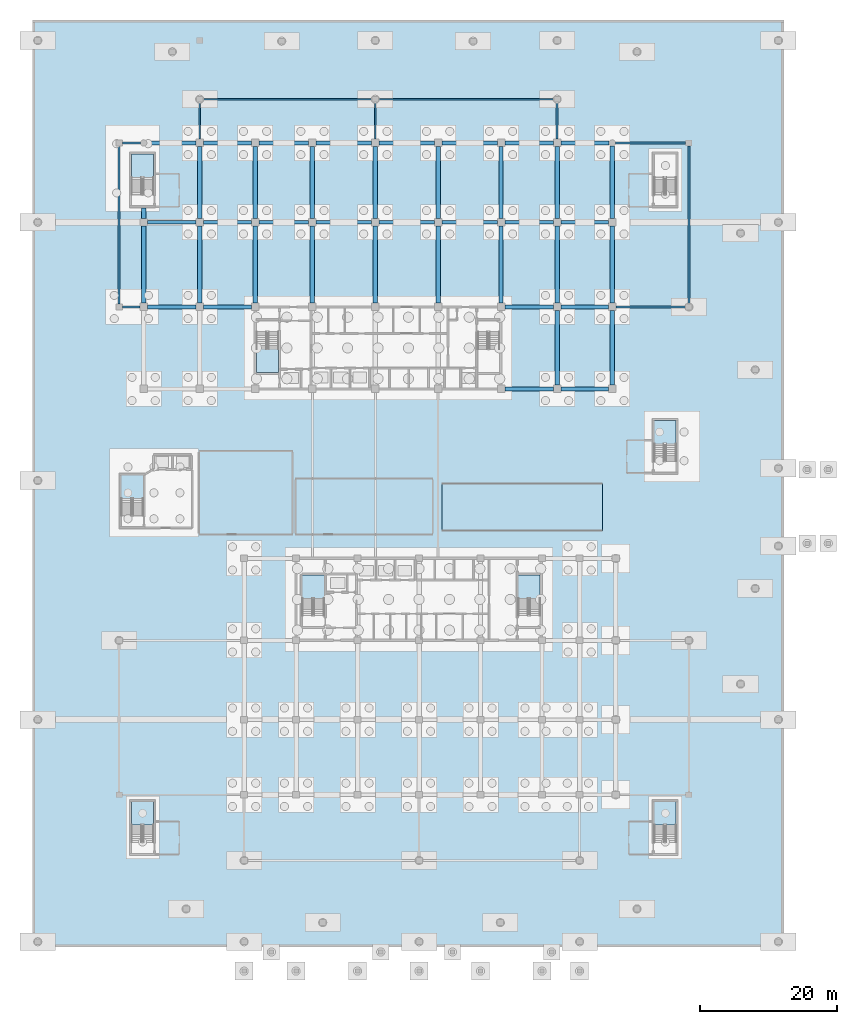
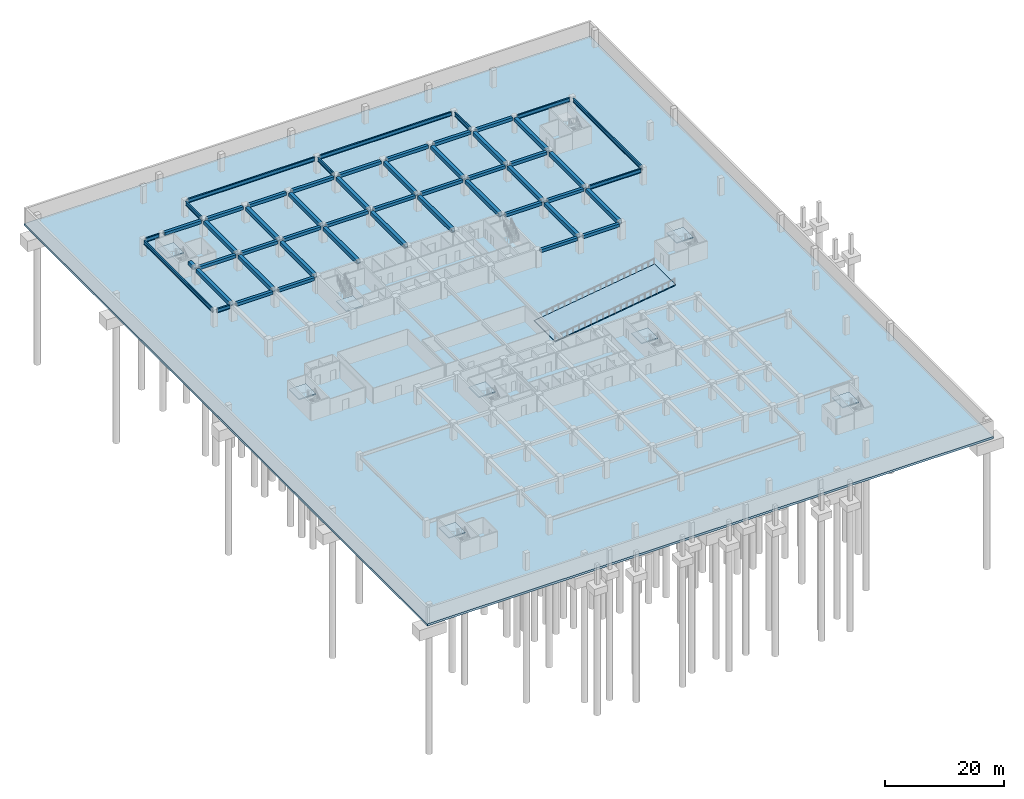
# One storey, part 6 of 26: 53 beams, 10 slabs, 8 elements without a shape of their own.
"""IFC4 building model written with IfcOpenShell, lengths in metres."""

from ifc_helpers import new_model, si_unit, direction, frame, origin, origin_2d, place, context, subcontext, project, spatial, polyline, rectangle, i_section, outline, extrude, material, layer, layer_set, material_profile, profile_set, type_object, element, aggregate, save


model = new_model("IFC4")

# Units and contexts
model_context = context("Model", 3, precision=1e-05, world=origin(), true_north=direction((0.0, 1.0)))
body_context = subcontext(model_context, "Body", "Model", "MODEL_VIEW")
ifc_project = project(units=[si_unit("LENGTHUNIT", "METRE"), si_unit("AREAUNIT", "SQUARE_METRE"), si_unit("VOLUMEUNIT", "CUBIC_METRE"), si_unit("PLANEANGLEUNIT", "RADIAN"), si_unit("MASSUNIT", "GRAM", prefix="KILO")], contexts=[model_context])

# Site, building, storey
site_placement = place(None, origin())
site = spatial("IfcSite", under=ifc_project, at=site_placement, CompositionType="ELEMENT")
building_placement = place(site_placement, origin())
building = spatial("IfcBuilding", under=site, at=building_placement, Name="Korimba Cascade Residences", CompositionType="ELEMENT")
storey_placement = place(building_placement, frame((0.0, 0.0, -10.800048828125)))
storey = spatial("IfcBuildingStorey", under=building, at=storey_placement, Name="B03", CompositionType="ELEMENT", Elevation=-10.800048828125)

# Beams
ifc_material_1 = material(Name="Concrete C50/60", Category="concrete")
ifc_material_profile_1 = material_profile(ifc_material_1, rectangle(XDim=0.550048828125, YDim=0.60009765625, at=origin_2d()), Name="Concrete C50/60")
ifc_profile_set_1 = profile_set([ifc_material_profile_1], Name="Concrete C50/60")
beam_type_1 = type_object("IfcBeamType", Name="BM-RC-B600", PredefinedType="BEAM", material=ifc_profile_set_1)
beam_1_placement = place(storey_placement, frame((112.64990234375, 55.199951171875, 3.0), z_axis=(1.0, 0.0, 0.0), x_axis=(0.0, 1.0, 0.0)))
element("IfcBeam", 1, at=beam_1_placement, inside=storey, type_object=beam_type_1, Name="B03 T1 E-W Girder Y1 Bay 7", PredefinedType="BEAM", context=body_context, shape_type="SweptSolid", body=[
    extrude(rectangle(XDim=0.550048828125, YDim=0.60009765625, at=origin_2d()), origin(), (0.0, 0.0, 1.0), 7.10009765625),
])
beam_2_placement = place(storey_placement, frame((120.85009765625, 55.199951171875, 3.0), z_axis=(1.0, 0.0, 0.0), x_axis=(0.0, 1.0, 0.0)))
element("IfcBeam", 2, at=beam_2_placement, inside=storey, type_object=beam_type_1, Name="B03 T1 E-W Girder Y1 Bay 8", PredefinedType="BEAM", context=body_context, shape_type="SweptSolid", body=[
    extrude(rectangle(XDim=0.550048828125, YDim=0.60009765625, at=origin_2d()), origin(), (0.0, 0.0, 1.0), 7.0),
])
beam_3_placement = place(storey_placement, frame((60.35009765625, 67.199951171875, 3.0), z_axis=(1.0, 0.0, 0.0), x_axis=(0.0, 1.0, 0.0)))
element("IfcBeam", 3, at=beam_3_placement, inside=storey, type_object=beam_type_1, Name="B03 T1 E-W Girder Y2 Bay 1", PredefinedType="BEAM", context=body_context, shape_type="SweptSolid", body=[
    extrude(rectangle(XDim=0.550048828125, YDim=0.60009765625, at=origin_2d()), origin(), (0.0, 0.0, 1.0), 7.099853515625),
])
beam_4_placement = place(storey_placement, frame((68.550048828125, 67.199951171875, 3.0), z_axis=(1.0, 0.0, 0.0), x_axis=(0.0, 1.0, 0.0)))
element("IfcBeam", 4, at=beam_4_placement, inside=storey, type_object=beam_type_1, Name="B03 T1 E-W Girder Y2 Bay 2", PredefinedType="BEAM", context=body_context, shape_type="SweptSolid", body=[
    extrude(rectangle(XDim=0.550048828125, YDim=0.60009765625, at=origin_2d()), origin(), (0.0, 0.0, 1.0), 7.0),
])
beam_5_placement = place(storey_placement, frame((112.64990234375, 67.199951171875, 3.0), z_axis=(1.0, 0.0, 0.0), x_axis=(0.0, 1.0, 0.0)))
element("IfcBeam", 5, at=beam_5_placement, inside=storey, type_object=beam_type_1, Name="B03 T1 E-W Girder Y2 Bay 7", PredefinedType="BEAM", context=body_context, shape_type="SweptSolid", body=[
    extrude(rectangle(XDim=0.550048828125, YDim=0.60009765625, at=origin_2d()), origin(), (0.0, 0.0, 1.0), 7.10009765625),
])
beam_6_placement = place(storey_placement, frame((120.85009765625, 67.199951171875, 3.0), z_axis=(1.0, 0.0, 0.0), x_axis=(0.0, 1.0, 0.0)))
element("IfcBeam", 6, at=beam_6_placement, inside=storey, type_object=beam_type_1, Name="B03 T1 E-W Girder Y2 Bay 8", PredefinedType="BEAM", context=body_context, shape_type="SweptSolid", body=[
    extrude(rectangle(XDim=0.550048828125, YDim=0.60009765625, at=origin_2d()), origin(), (0.0, 0.0, 1.0), 7.0),
])
beam_7_placement = place(storey_placement, frame((60.35009765625, 79.60009765625, 3.0), z_axis=(1.0, 0.0, 0.0), x_axis=(0.0, 1.0, 0.0)))
element("IfcBeam", 7, at=beam_7_placement, inside=storey, type_object=beam_type_1, Name="B03 T1 E-W Girder Y3 Bay 1", PredefinedType="BEAM", context=body_context, shape_type="SweptSolid", body=[
    extrude(rectangle(XDim=0.550048828125, YDim=0.60009765625, at=origin_2d()), origin(), (0.0, 0.0, 1.0), 7.099853515625),
])
beam_8_placement = place(storey_placement, frame((68.550048828125, 79.60009765625, 3.0), z_axis=(1.0, 0.0, 0.0), x_axis=(0.0, 1.0, 0.0)))
element("IfcBeam", 8, at=beam_8_placement, inside=storey, type_object=beam_type_1, Name="B03 T1 E-W Girder Y3 Bay 2", PredefinedType="BEAM", context=body_context, shape_type="SweptSolid", body=[
    extrude(rectangle(XDim=0.550048828125, YDim=0.60009765625, at=origin_2d()), origin(), (0.0, 0.0, 1.0), 7.0),
])
beam_9_placement = place(storey_placement, frame((76.64990234375, 79.60009765625, 3.0), z_axis=(1.0, 0.0, 0.0), x_axis=(0.0, 1.0, 0.0)))
element("IfcBeam", 9, at=beam_9_placement, inside=storey, type_object=beam_type_1, Name="B03 T1 E-W Girder Y3 Bay 3", PredefinedType="BEAM", context=body_context, shape_type="SweptSolid", body=[
    extrude(rectangle(XDim=0.550048828125, YDim=0.60009765625, at=origin_2d()), origin(), (0.0, 0.0, 1.0), 7.300048828125),
])
beam_10_placement = place(storey_placement, frame((85.050048828125, 79.60009765625, 3.0), z_axis=(1.0, 0.0, 0.0), x_axis=(0.0, 1.0, 0.0)))
element("IfcBeam", 10, at=beam_10_placement, inside=storey, type_object=beam_type_1, Name="B03 T1 E-W Girder Y3 Bay 4", PredefinedType="BEAM", context=body_context, shape_type="SweptSolid", body=[
    extrude(rectangle(XDim=0.550048828125, YDim=0.60009765625, at=origin_2d()), origin(), (0.0, 0.0, 1.0), 8.099853515625),
])
for number, where, z_axis, x_axis, name in (
    (11, (94.25, 79.60009765625, 3.0), (1.0, 0.0, 0.0), (0.0, 1.0, 0.0), "B03 T1 E-W Girder Y3 Bay 5"),
    (12, (103.449951171875, 79.60009765625, 3.0), (1.0, 0.0, 0.0), (0.0, 1.0, 0.0), "B03 T1 E-W Girder Y3 Bay 6"),
):
    element("IfcBeam", number, at=place(storey_placement, frame(where, z_axis=z_axis, x_axis=x_axis)), inside=storey, type_object=beam_type_1, Name=name, PredefinedType="BEAM", context=body_context, shape_type="SweptSolid", body=[
        extrude(rectangle(XDim=0.550048828125, YDim=0.60009765625, at=origin_2d()), origin(), (0.0, 0.0, 1.0), 8.10009765625),
    ])
beam_11_placement = place(storey_placement, frame((112.64990234375, 79.60009765625, 3.0), z_axis=(1.0, 0.0, 0.0), x_axis=(0.0, 1.0, 0.0)))
element("IfcBeam", 13, at=beam_11_placement, inside=storey, type_object=beam_type_1, Name="B03 T1 E-W Girder Y3 Bay 7", PredefinedType="BEAM", context=body_context, shape_type="SweptSolid", body=[
    extrude(rectangle(XDim=0.550048828125, YDim=0.60009765625, at=origin_2d()), origin(), (0.0, 0.0, 1.0), 7.10009765625),
])
beam_12_placement = place(storey_placement, frame((120.85009765625, 79.60009765625, 3.0), z_axis=(1.0, 0.0, 0.0), x_axis=(0.0, 1.0, 0.0)))
element("IfcBeam", 14, at=beam_12_placement, inside=storey, type_object=beam_type_1, Name="B03 T1 E-W Girder Y3 Bay 8", PredefinedType="BEAM", context=body_context, shape_type="SweptSolid", body=[
    extrude(rectangle(XDim=0.550048828125, YDim=0.60009765625, at=origin_2d()), origin(), (0.0, 0.0, 1.0), 7.0),
])
beam_13_placement = place(storey_placement, frame((60.27490234375, 91.199951171875, 3.0), z_axis=(1.0, 0.0, 0.0), x_axis=(0.0, 1.0, 0.0)))
element("IfcBeam", 15, at=beam_13_placement, inside=storey, type_object=beam_type_1, Name="B03 T1 E-W Girder Y4 Bay 1", PredefinedType="BEAM", context=body_context, shape_type="SweptSolid", body=[
    extrude(rectangle(XDim=0.550048828125, YDim=0.60009765625, at=origin_2d()), origin(), (0.0, 0.0, 1.0), 7.175048828125),
])
beam_14_placement = place(storey_placement, frame((68.550048828125, 91.199951171875, 3.0), z_axis=(1.0, 0.0, 0.0), x_axis=(0.0, 1.0, 0.0)))
element("IfcBeam", 16, at=beam_14_placement, inside=storey, type_object=beam_type_1, Name="B03 T1 E-W Girder Y4 Bay 2", PredefinedType="BEAM", context=body_context, shape_type="SweptSolid", body=[
    extrude(rectangle(XDim=0.550048828125, YDim=0.60009765625, at=origin_2d()), origin(), (0.0, 0.0, 1.0), 7.0),
])
beam_15_placement = place(storey_placement, frame((76.64990234375, 91.199951171875, 3.0), z_axis=(1.0, 0.0, 0.0), x_axis=(0.0, 1.0, 0.0)))
element("IfcBeam", 17, at=beam_15_placement, inside=storey, type_object=beam_type_1, Name="B03 T1 E-W Girder Y4 Bay 3", PredefinedType="BEAM", context=body_context, shape_type="SweptSolid", body=[
    extrude(rectangle(XDim=0.550048828125, YDim=0.60009765625, at=origin_2d()), origin(), (0.0, 0.0, 1.0), 7.300048828125),
])
beam_16_placement = place(storey_placement, frame((85.050048828125, 91.199951171875, 3.0), z_axis=(1.0, 0.0, 0.0), x_axis=(0.0, 1.0, 0.0)))
element("IfcBeam", 18, at=beam_16_placement, inside=storey, type_object=beam_type_1, Name="B03 T1 E-W Girder Y4 Bay 4", PredefinedType="BEAM", context=body_context, shape_type="SweptSolid", body=[
    extrude(rectangle(XDim=0.550048828125, YDim=0.60009765625, at=origin_2d()), origin(), (0.0, 0.0, 1.0), 8.099853515625),
])
for number, where, z_axis, x_axis, name in (
    (19, (94.25, 91.199951171875, 3.0), (1.0, 0.0, 0.0), (0.0, 1.0, 0.0), "B03 T1 E-W Girder Y4 Bay 5"),
    (20, (103.449951171875, 91.199951171875, 3.0), (1.0, 0.0, 0.0), (0.0, 1.0, 0.0), "B03 T1 E-W Girder Y4 Bay 6"),
):
    element("IfcBeam", number, at=place(storey_placement, frame(where, z_axis=z_axis, x_axis=x_axis)), inside=storey, type_object=beam_type_1, Name=name, PredefinedType="BEAM", context=body_context, shape_type="SweptSolid", body=[
        extrude(rectangle(XDim=0.550048828125, YDim=0.60009765625, at=origin_2d()), origin(), (0.0, 0.0, 1.0), 8.10009765625),
    ])
beam_17_placement = place(storey_placement, frame((112.64990234375, 91.199951171875, 3.0), z_axis=(1.0, 0.0, 0.0), x_axis=(0.0, 1.0, 0.0)))
element("IfcBeam", 21, at=beam_17_placement, inside=storey, type_object=beam_type_1, Name="B03 T1 E-W Girder Y4 Bay 7", PredefinedType="BEAM", context=body_context, shape_type="SweptSolid", body=[
    extrude(rectangle(XDim=0.550048828125, YDim=0.60009765625, at=origin_2d()), origin(), (0.0, 0.0, 1.0), 7.10009765625),
])
beam_18_placement = place(storey_placement, frame((120.85009765625, 91.199951171875, 3.0), z_axis=(1.0, 0.0, 0.0), x_axis=(0.0, 1.0, 0.0)))
element("IfcBeam", 22, at=beam_18_placement, inside=storey, type_object=beam_type_1, Name="B03 T1 E-W Girder Y4 Bay 8", PredefinedType="BEAM", context=body_context, shape_type="SweptSolid", body=[
    extrude(rectangle(XDim=0.550048828125, YDim=0.60009765625, at=origin_2d()), origin(), (0.0, 0.0, 1.0), 7.074951171875),
])
ifc_material_profile_2 = material_profile(ifc_material_1, rectangle(XDim=0.64990234375, YDim=0.75, at=origin_2d()), Name="Concrete C50/60")
ifc_profile_set_2 = profile_set([ifc_material_profile_2], Name="Concrete C50/60")
beam_type_2 = type_object("IfcBeamType", Name="BM-RC-G750", PredefinedType="BEAM", material=ifc_profile_set_2)
beam_19_placement = place(storey_placement, frame((59.800048828125, 67.75, 2.925048828125), z_axis=(0.0, 1.0, 0.0), x_axis=(-1.0, 0.0, 0.0)))
element("IfcBeam", 23, at=beam_19_placement, inside=storey, type_object=beam_type_2, Name="B03 T1 N-S Girder X1 Seg 2", PredefinedType="BEAM", context=body_context, shape_type="SweptSolid", body=[
    extrude(rectangle(XDim=0.64990234375, YDim=0.75, at=origin_2d()), origin(), (0.0, 0.0, 1.0), 11.300048828125),
])
beam_20_placement = place(storey_placement, frame((59.800048828125, 80.14990234375, 2.925048828125), z_axis=(0.0, 1.0, 0.0), x_axis=(-1.0, 0.0, 0.0)))
element("IfcBeam", 24, at=beam_20_placement, inside=storey, type_object=beam_type_2, Name="B03 T1 N-S Girder X1 Seg 3", PredefinedType="BEAM", context=body_context, shape_type="SweptSolid", body=[
    extrude(rectangle(XDim=0.64990234375, YDim=0.75, at=origin_2d()), origin(), (0.0, 0.0, 1.0), 1.550048828125),
])
beam_21_placement = place(storey_placement, frame((68.0, 67.75, 2.925048828125), z_axis=(0.0, 1.0, 0.0), x_axis=(-1.0, 0.0, 0.0)))
element("IfcBeam", 25, at=beam_21_placement, inside=storey, type_object=beam_type_2, Name="B03 T1 N-S Girder X2 Seg 2", PredefinedType="BEAM", context=body_context, shape_type="SweptSolid", body=[
    extrude(rectangle(XDim=0.64990234375, YDim=0.75, at=origin_2d()), origin(), (0.0, 0.0, 1.0), 11.300048828125),
])
beam_22_placement = place(storey_placement, frame((68.0, 80.14990234375, 2.925048828125), z_axis=(0.0, 1.0, 0.0), x_axis=(-1.0, 0.0, 0.0)))
element("IfcBeam", 26, at=beam_22_placement, inside=storey, type_object=beam_type_2, Name="B03 T1 N-S Girder X2 Seg 3", PredefinedType="BEAM", context=body_context, shape_type="SweptSolid", body=[
    extrude(rectangle(XDim=0.64990234375, YDim=0.75, at=origin_2d()), origin(), (0.0, 0.0, 1.0), 10.5),
])
beam_23_placement = place(storey_placement, frame((76.10009765625, 67.75, 2.925048828125), z_axis=(0.0, 1.0, 0.0), x_axis=(-1.0, 0.0, 0.0)))
element("IfcBeam", 27, at=beam_23_placement, inside=storey, type_object=beam_type_2, Name="B03 T1 N-S Girder X3 Seg 2", PredefinedType="BEAM", context=body_context, shape_type="SweptSolid", body=[
    extrude(rectangle(XDim=0.64990234375, YDim=0.75, at=origin_2d()), origin(), (0.0, 0.0, 1.0), 11.300048828125),
])
beam_24_placement = place(storey_placement, frame((76.10009765625, 80.14990234375, 2.925048828125), z_axis=(0.0, 1.0, 0.0), x_axis=(-1.0, 0.0, 0.0)))
element("IfcBeam", 28, at=beam_24_placement, inside=storey, type_object=beam_type_2, Name="B03 T1 N-S Girder X3 Seg 3", PredefinedType="BEAM", context=body_context, shape_type="SweptSolid", body=[
    extrude(rectangle(XDim=0.64990234375, YDim=0.75, at=origin_2d()), origin(), (0.0, 0.0, 1.0), 10.5),
])
beam_25_placement = place(storey_placement, frame((84.5, 67.75, 2.925048828125), z_axis=(0.0, 1.0, 0.0), x_axis=(-1.0, 0.0, 0.0)))
element("IfcBeam", 29, at=beam_25_placement, inside=storey, type_object=beam_type_2, Name="B03 T1 N-S Girder X4 Seg 2", PredefinedType="BEAM", context=body_context, shape_type="SweptSolid", body=[
    extrude(rectangle(XDim=0.64990234375, YDim=0.75, at=origin_2d()), origin(), (0.0, 0.0, 1.0), 11.300048828125),
])
beam_26_placement = place(storey_placement, frame((84.5, 80.14990234375, 2.925048828125), z_axis=(0.0, 1.0, 0.0), x_axis=(-1.0, 0.0, 0.0)))
element("IfcBeam", 30, at=beam_26_placement, inside=storey, type_object=beam_type_2, Name="B03 T1 N-S Girder X4 Seg 3", PredefinedType="BEAM", context=body_context, shape_type="SweptSolid", body=[
    extrude(rectangle(XDim=0.64990234375, YDim=0.75, at=origin_2d()), origin(), (0.0, 0.0, 1.0), 10.5),
])
beam_27_placement = place(storey_placement, frame((93.699951171875, 67.75, 2.925048828125), z_axis=(0.0, 1.0, 0.0), x_axis=(-1.0, 0.0, 0.0)))
element("IfcBeam", 31, at=beam_27_placement, inside=storey, type_object=beam_type_2, Name="B03 T1 N-S Girder X5 Seg 2", PredefinedType="BEAM", context=body_context, shape_type="SweptSolid", body=[
    extrude(rectangle(XDim=0.64990234375, YDim=0.75, at=origin_2d()), origin(), (0.0, 0.0, 1.0), 11.300048828125),
])
beam_28_placement = place(storey_placement, frame((93.699951171875, 80.14990234375, 2.925048828125), z_axis=(0.0, 1.0, 0.0), x_axis=(-1.0, 0.0, 0.0)))
element("IfcBeam", 32, at=beam_28_placement, inside=storey, type_object=beam_type_2, Name="B03 T1 N-S Girder X5 Seg 3", PredefinedType="BEAM", context=body_context, shape_type="SweptSolid", body=[
    extrude(rectangle(XDim=0.64990234375, YDim=0.75, at=origin_2d()), origin(), (0.0, 0.0, 1.0), 10.5),
])
beam_29_placement = place(storey_placement, frame((102.89990234375, 67.75, 2.925048828125), z_axis=(0.0, 1.0, 0.0), x_axis=(-1.0, 0.0, 0.0)))
element("IfcBeam", 33, at=beam_29_placement, inside=storey, type_object=beam_type_2, Name="B03 T1 N-S Girder X6 Seg 2", PredefinedType="BEAM", context=body_context, shape_type="SweptSolid", body=[
    extrude(rectangle(XDim=0.64990234375, YDim=0.75, at=origin_2d()), origin(), (0.0, 0.0, 1.0), 11.300048828125),
])
beam_30_placement = place(storey_placement, frame((102.89990234375, 80.14990234375, 2.925048828125), z_axis=(0.0, 1.0, 0.0), x_axis=(-1.0, 0.0, 0.0)))
element("IfcBeam", 34, at=beam_30_placement, inside=storey, type_object=beam_type_2, Name="B03 T1 N-S Girder X6 Seg 3", PredefinedType="BEAM", context=body_context, shape_type="SweptSolid", body=[
    extrude(rectangle(XDim=0.64990234375, YDim=0.75, at=origin_2d()), origin(), (0.0, 0.0, 1.0), 10.5),
])
beam_31_placement = place(storey_placement, frame((112.10009765625, 67.75, 2.925048828125), z_axis=(0.0, 1.0, 0.0), x_axis=(-1.0, 0.0, 0.0)))
element("IfcBeam", 35, at=beam_31_placement, inside=storey, type_object=beam_type_2, Name="B03 T1 N-S Girder X7 Seg 2", PredefinedType="BEAM", context=body_context, shape_type="SweptSolid", body=[
    extrude(rectangle(XDim=0.64990234375, YDim=0.75, at=origin_2d()), origin(), (0.0, 0.0, 1.0), 11.300048828125),
])
beam_32_placement = place(storey_placement, frame((112.10009765625, 80.14990234375, 2.925048828125), z_axis=(0.0, 1.0, 0.0), x_axis=(-1.0, 0.0, 0.0)))
element("IfcBeam", 36, at=beam_32_placement, inside=storey, type_object=beam_type_2, Name="B03 T1 N-S Girder X7 Seg 3", PredefinedType="BEAM", context=body_context, shape_type="SweptSolid", body=[
    extrude(rectangle(XDim=0.64990234375, YDim=0.75, at=origin_2d()), origin(), (0.0, 0.0, 1.0), 10.5),
])
beam_33_placement = place(storey_placement, frame((120.300048828125, 55.75, 2.925048828125), z_axis=(0.0, 1.0, 0.0), x_axis=(-1.0, 0.0, 0.0)))
element("IfcBeam", 37, at=beam_33_placement, inside=storey, type_object=beam_type_2, Name="B03 T1 N-S Girder X8 Seg 1", PredefinedType="BEAM", context=body_context, shape_type="SweptSolid", body=[
    extrude(rectangle(XDim=0.64990234375, YDim=0.75, at=origin_2d()), origin(), (0.0, 0.0, 1.0), 10.89990234375),
])
beam_34_placement = place(storey_placement, frame((120.300048828125, 67.75, 2.925048828125), z_axis=(0.0, 1.0, 0.0), x_axis=(-1.0, 0.0, 0.0)))
element("IfcBeam", 38, at=beam_34_placement, inside=storey, type_object=beam_type_2, Name="B03 T1 N-S Girder X8 Seg 2", PredefinedType="BEAM", context=body_context, shape_type="SweptSolid", body=[
    extrude(rectangle(XDim=0.64990234375, YDim=0.75, at=origin_2d()), origin(), (0.0, 0.0, 1.0), 11.300048828125),
])
beam_35_placement = place(storey_placement, frame((120.300048828125, 80.14990234375, 2.925048828125), z_axis=(0.0, 1.0, 0.0), x_axis=(-1.0, 0.0, 0.0)))
element("IfcBeam", 39, at=beam_35_placement, inside=storey, type_object=beam_type_2, Name="B03 T1 N-S Girder X8 Seg 3", PredefinedType="BEAM", context=body_context, shape_type="SweptSolid", body=[
    extrude(rectangle(XDim=0.64990234375, YDim=0.75, at=origin_2d()), origin(), (0.0, 0.0, 1.0), 10.5),
])
beam_36_placement = place(storey_placement, frame((128.39990234375, 55.75, 2.925048828125), z_axis=(0.0, 1.0, 0.0), x_axis=(-1.0, 0.0, 0.0)))
element("IfcBeam", 40, at=beam_36_placement, inside=storey, type_object=beam_type_2, Name="B03 T1 N-S Girder X9 Seg 1", PredefinedType="BEAM", context=body_context, shape_type="SweptSolid", body=[
    extrude(rectangle(XDim=0.64990234375, YDim=0.75, at=origin_2d()), origin(), (0.0, 0.0, 1.0), 10.89990234375),
])
beam_37_placement = place(storey_placement, frame((128.39990234375, 67.75, 2.925048828125), z_axis=(0.0, 1.0, 0.0), x_axis=(-1.0, 0.0, 0.0)))
element("IfcBeam", 41, at=beam_37_placement, inside=storey, type_object=beam_type_2, Name="B03 T1 N-S Girder X9 Seg 2", PredefinedType="BEAM", context=body_context, shape_type="SweptSolid", body=[
    extrude(rectangle(XDim=0.64990234375, YDim=0.75, at=origin_2d()), origin(), (0.0, 0.0, 1.0), 11.300048828125),
])
beam_38_placement = place(storey_placement, frame((128.39990234375, 80.14990234375, 2.925048828125), z_axis=(0.0, 1.0, 0.0), x_axis=(-1.0, 0.0, 0.0)))
element("IfcBeam", 42, at=beam_38_placement, inside=storey, type_object=beam_type_2, Name="B03 T1 N-S Girder X9 Seg 3", PredefinedType="BEAM", context=body_context, shape_type="SweptSolid", body=[
    extrude(rectangle(XDim=0.64990234375, YDim=0.75, at=origin_2d()), origin(), (0.0, 0.0, 1.0), 10.5751953125),
])
ifc_material_2 = material(Name="Steel S355", Category="steel")
ifc_material_profile_3 = material_profile(ifc_material_2, i_section(OverallWidth=0.26806640625, OverallDepth=0.769775390625, WebThickness=0.015625, FlangeThickness=0.025390625, FilletRadius=0.0166015625, at=origin_2d()), Name="Steel S355")
ifc_profile_set_3 = profile_set([ifc_material_profile_3], Name="Steel S355")
beam_type_3 = type_object("IfcBeamType", Name="BM-STL-UB762", PredefinedType="BEAM", material=ifc_profile_set_3)
beam_39_placement = place(storey_placement, frame((56.675048828125, 67.199951171875, 2.9150390625), z_axis=(1.0, 0.0, 0.0), x_axis=(0.0, 1.0, 0.0)))
element("IfcBeam", 43, at=beam_39_placement, inside=storey, type_object=beam_type_3, Name="B03 Podium Frame Girder W3", PredefinedType="BEAM", context=body_context, shape_type="SweptSolid", body=[
    extrude(i_section(OverallWidth=0.26806640625, OverallDepth=0.769775390625, WebThickness=0.015625, FlangeThickness=0.025390625, FilletRadius=0.0166015625, at=origin_2d()), origin(), (0.0, 0.0, 1.0), 2.574951171875),
])
beam_40_placement = place(storey_placement, frame((56.675048828125, 91.199951171875, 2.9150390625), z_axis=(1.0, 0.0, 0.0), x_axis=(0.0, 1.0, 0.0)))
element("IfcBeam", 44, at=beam_40_placement, inside=storey, type_object=beam_type_3, Name="B03 Podium Frame Girder W4", PredefinedType="BEAM", context=body_context, shape_type="SweptSolid", body=[
    extrude(i_section(OverallWidth=0.26806640625, OverallDepth=0.769775390625, WebThickness=0.015625, FlangeThickness=0.025390625, FilletRadius=0.0166015625, at=origin_2d()), origin(), (0.0, 0.0, 1.0), 2.64990234375),
])
beam_41_placement = place(storey_placement, frame((56.199951171875, 67.625, 2.9150390625), z_axis=(0.0, 1.0, 0.0), x_axis=(-1.0, 0.0, 0.0)))
element("IfcBeam", 45, at=beam_41_placement, inside=storey, type_object=beam_type_3, Name="B03 Podium Frame Girder WS", PredefinedType="BEAM", context=body_context, shape_type="SweptSolid", body=[
    extrude(i_section(OverallWidth=0.26806640625, OverallDepth=0.769775390625, WebThickness=0.015625, FlangeThickness=0.025390625, FilletRadius=0.0166015625, at=origin_2d()), origin(), (0.0, 0.0, 1.0), 23.14990234375),
])
beam_42_placement = place(storey_placement, frame((128.949951171875, 67.199951171875, 2.9150390625), z_axis=(1.0, 0.0, 0.0), x_axis=(0.0, 1.0, 0.0)))
element("IfcBeam", 46, at=beam_42_placement, inside=storey, type_object=beam_type_3, Name="B03 Podium Frame Girder E3", PredefinedType="BEAM", context=body_context, shape_type="SweptSolid", body=[
    extrude(i_section(OverallWidth=0.26806640625, OverallDepth=0.769775390625, WebThickness=0.015625, FlangeThickness=0.025390625, FilletRadius=0.0166015625, at=origin_2d()), origin(), (0.0, 0.0, 1.0), 10.175048828125),
])
beam_43_placement = place(storey_placement, frame((128.875, 91.199951171875, 2.9150390625), z_axis=(1.0, 0.0, 0.0), x_axis=(0.0, 1.0, 0.0)))
element("IfcBeam", 47, at=beam_43_placement, inside=storey, type_object=beam_type_3, Name="B03 Podium Frame Girder E4", PredefinedType="BEAM", context=body_context, shape_type="SweptSolid", body=[
    extrude(i_section(OverallWidth=0.26806640625, OverallDepth=0.769775390625, WebThickness=0.015625, FlangeThickness=0.025390625, FilletRadius=0.0166015625, at=origin_2d()), origin(), (0.0, 0.0, 1.0), 10.25),
])
beam_44_placement = place(storey_placement, frame((139.60009765625, 67.625, 2.9150390625), z_axis=(0.0, 1.0, 0.0), x_axis=(-1.0, 0.0, 0.0)))
element("IfcBeam", 48, at=beam_44_placement, inside=storey, type_object=beam_type_3, Name="B03 Podium Frame Girder ES", PredefinedType="BEAM", context=body_context, shape_type="SweptSolid", body=[
    extrude(i_section(OverallWidth=0.26806640625, OverallDepth=0.769775390625, WebThickness=0.015625, FlangeThickness=0.025390625, FilletRadius=0.0166015625, at=origin_2d()), origin(), (0.0, 0.0, 1.0), 23.14990234375),
])
for number, where, z_axis, x_axis, name in (
    (49, (68.0, 91.75, 2.9150390625), (0.0, 1.0, 0.0), (-1.0, 0.0, 0.0), "B03 Podium Frame Girder N1"),
    (50, (93.699951171875, 91.75, 2.9150390625), (0.0, 1.0, 0.0), (-1.0, 0.0, 0.0), "B03 Podium Frame Girder N2"),
    (51, (120.300048828125, 91.75, 2.9150390625), (0.0, 1.0, 0.0), (-1.0, 0.0, 0.0), "B03 Podium Frame Girder N3"),
):
    element("IfcBeam", number, at=place(storey_placement, frame(where, z_axis=z_axis, x_axis=x_axis)), inside=storey, type_object=beam_type_3, Name=name, PredefinedType="BEAM", context=body_context, shape_type="SweptSolid", body=[
        extrude(i_section(OverallWidth=0.26806640625, OverallDepth=0.769775390625, WebThickness=0.015625, FlangeThickness=0.025390625, FilletRadius=0.0166015625, at=origin_2d()), origin(), (0.0, 0.0, 1.0), 5.425048828125),
    ])
beam_45_placement = place(storey_placement, frame((68.47509765625, 97.60009765625, 2.9150390625), z_axis=(1.0, 0.0, 0.0), x_axis=(0.0, 1.0, 0.0)))
element("IfcBeam", 52, at=beam_45_placement, inside=storey, type_object=beam_type_3, Name="B03 Podium Frame Girder NH1", PredefinedType="BEAM", context=body_context, shape_type="SweptSolid", body=[
    extrude(i_section(OverallWidth=0.26806640625, OverallDepth=0.769775390625, WebThickness=0.015625, FlangeThickness=0.025390625, FilletRadius=0.0166015625, at=origin_2d()), origin(), (0.0, 0.0, 1.0), 24.75),
])
beam_46_placement = place(storey_placement, frame((94.175048828125, 97.60009765625, 2.9150390625), z_axis=(1.0, 0.0, 0.0), x_axis=(0.0, 1.0, 0.0)))
element("IfcBeam", 53, at=beam_46_placement, inside=storey, type_object=beam_type_3, Name="B03 Podium Frame Girder NH2", PredefinedType="BEAM", context=body_context, shape_type="SweptSolid", body=[
    extrude(i_section(OverallWidth=0.26806640625, OverallDepth=0.769775390625, WebThickness=0.015625, FlangeThickness=0.025390625, FilletRadius=0.0166015625, at=origin_2d()), origin(), (0.0, 0.0, 1.0), 25.64990234375),
])

# Slab
ifc_layer_1 = layer(ifc_material_1, 0.449951171875)
ifc_layer_set_1 = layer_set([ifc_layer_1], Name="Concrete C50/60")
slab_type_1 = type_object("IfcSlabType", Name="SLB-BASE-450", PredefinedType="BASESLAB", material=ifc_layer_set_1)
slab_1_placement = place(storey_placement, frame((0.0, 0.0, -0.449951171875)))
element("IfcSlab", 54, at=slab_1_placement, inside=storey, type_object=slab_type_1, Name="B03 Piled Base Slab", PredefinedType="BASESLAB", context=body_context, shape_type="SweptSolid", body=[
    extrude(outline(polyline([(43.5, -26.5), (153.5, -26.5), (153.5, 109.199951171875), (43.5, 109.199951171875), (43.5, -26.5)])), origin(), (0.0, 0.0, 1.0), 0.449951171875),
])

# Stair, slab
stair_type_1 = type_object("IfcStairType", Name="STR-W1-20R-1800", PredefinedType="HALF_TURN_STAIR", material=ifc_material_1)
stair_1_placement = place(storey_placement, origin())
stair_1 = element("IfcStair", 55, at=stair_1_placement, inside=storey, type_object=stair_type_1, Name="B03 Tower 1 West Fire Stair ST-W1", PredefinedType="HALF_TURN_STAIR")
ifc_layer_2 = layer(ifc_material_1, 0.199951171875)
ifc_layer_set_2 = layer_set([ifc_layer_2], Name="Concrete C50/60")
slab_type_2 = type_object("IfcSlabType", Name="SLB-LND-220", PredefinedType="LANDING", material=ifc_layer_set_2)
slab_2_placement = place(storey_placement, frame((0.0, 0.0, 1.60009765625)))
slab_2 = element("IfcSlab", 56, at=slab_2_placement, type_object=slab_type_2, Name="ST-W1 landing 1", PredefinedType="LANDING", context=body_context, shape_type="SweptSolid", body=[
    extrude(outline(polyline([(76.300048828125, 61.030029296875), (76.300048828125, 57.60009765625), (79.5400390625, 57.60009765625), (79.5400390625, 61.030029296875), (76.300048828125, 61.030029296875)])), origin(), (0.0, 0.0, 1.0), 0.199951171875),
])
aggregate(stair_1, [slab_2])

stair_type_2 = type_object("IfcStairType", Name="STR-E1-20R-1800", PredefinedType="HALF_TURN_STAIR", material=ifc_material_1)
stair_2_placement = place(storey_placement, origin())
stair_2 = element("IfcStair", 57, at=stair_2_placement, inside=storey, type_object=stair_type_2, Name="B03 Tower 2 West Fire Stair ST-E1", PredefinedType="HALF_TURN_STAIR")
slab_3_placement = place(storey_placement, frame((0.0, 0.0, 1.60009765625)))
slab_3 = element("IfcSlab", 58, at=slab_3_placement, type_object=slab_type_2, Name="ST-E1 landing 1", PredefinedType="LANDING", context=body_context, shape_type="SweptSolid", body=[
    extrude(outline(polyline([(86.239990234375, 24.570068359375), (86.239990234375, 28.0), (83.0, 28.0), (83.0, 24.570068359375), (86.239990234375, 24.570068359375)])), origin(), (0.0, 0.0, 1.0), 0.199951171875),
])
aggregate(stair_2, [slab_3])

stair_type_3 = type_object("IfcStairType", Name="STR-E2-20R-1800", PredefinedType="HALF_TURN_STAIR", material=ifc_material_1)
stair_3_placement = place(storey_placement, origin())
stair_3 = element("IfcStair", 59, at=stair_3_placement, inside=storey, type_object=stair_type_3, Name="B03 Tower 2 East Fire Stair ST-E2", PredefinedType="HALF_TURN_STAIR")
slab_4_placement = place(storey_placement, frame((0.0, 0.0, 1.60009765625)))
slab_4 = element("IfcSlab", 60, at=slab_4_placement, type_object=slab_type_2, Name="ST-E2 landing 1", PredefinedType="LANDING", context=body_context, shape_type="SweptSolid", body=[
    extrude(outline(polyline([(117.840087890625, 24.570068359375), (117.840087890625, 28.0), (114.60009765625, 28.0), (114.60009765625, 24.570068359375), (117.840087890625, 24.570068359375)])), origin(), (0.0, 0.0, 1.0), 0.199951171875),
])
aggregate(stair_3, [slab_4])

stair_type_4 = type_object("IfcStairType", Name="STR-P1-20R-1800", PredefinedType="HALF_TURN_STAIR", material=ifc_material_1)
stair_4_placement = place(storey_placement, origin())
stair_4 = element("IfcStair", 61, at=stair_4_placement, inside=storey, type_object=stair_type_4, Name="B03 Podium West Fire Stair ST-P1", PredefinedType="HALF_TURN_STAIR")
slab_5_placement = place(storey_placement, frame((0.0, 0.0, 1.60009765625)))
slab_5 = element("IfcSlab", 62, at=slab_5_placement, type_object=slab_type_2, Name="ST-P1 landing 1", PredefinedType="LANDING", context=body_context, shape_type="SweptSolid", body=[
    extrude(outline(polyline([(59.739990234375, 39.169921875), (59.739990234375, 42.60009765625), (56.5, 42.60009765625), (56.5, 39.169921875), (59.739990234375, 39.169921875)])), origin(), (0.0, 0.0, 1.0), 0.199951171875),
])
aggregate(stair_4, [slab_5])

stair_type_5 = type_object("IfcStairType", Name="STR-P2-20R-1800", PredefinedType="HALF_TURN_STAIR", material=ifc_material_1)
stair_5_placement = place(storey_placement, origin())
stair_5 = element("IfcStair", 63, at=stair_5_placement, inside=storey, type_object=stair_type_5, Name="B03 Podium East Fire Stair ST-P2", PredefinedType="HALF_TURN_STAIR")
slab_6_placement = place(storey_placement, frame((0.0, 0.0, 1.60009765625)))
slab_6 = element("IfcSlab", 64, at=slab_6_placement, type_object=slab_type_2, Name="ST-P2 landing 1", PredefinedType="LANDING", context=body_context, shape_type="SweptSolid", body=[
    extrude(outline(polyline([(137.739990234375, 47.169921875), (137.739990234375, 50.60009765625), (134.5, 50.60009765625), (134.5, 47.169921875), (137.739990234375, 47.169921875)])), origin(), (0.0, 0.0, 1.0), 0.199951171875),
])
aggregate(stair_5, [slab_6])

stair_type_6 = type_object("IfcStairType", Name="STR-P3-20R-1800", PredefinedType="HALF_TURN_STAIR", material=ifc_material_1)
stair_6_placement = place(storey_placement, origin())
stair_6 = element("IfcStair", 65, at=stair_6_placement, inside=storey, type_object=stair_type_6, Name="B03 Podium South-West Corner Fire Stair ST-P3", PredefinedType="HALF_TURN_STAIR")
slab_7_placement = place(storey_placement, frame((0.0, 0.0, 1.60009765625)))
slab_7 = element("IfcSlab", 66, at=slab_7_placement, type_object=slab_type_2, Name="ST-P3 landing 1", PredefinedType="LANDING", context=body_context, shape_type="SweptSolid", body=[
    extrude(outline(polyline([(61.239990234375, -8.6298828125), (61.239990234375, -5.199951171875), (58.0, -5.199951171875), (58.0, -8.6298828125), (61.239990234375, -8.6298828125)])), origin(), (0.0, 0.0, 1.0), 0.199951171875),
])
aggregate(stair_6, [slab_7])

stair_type_7 = type_object("IfcStairType", Name="STR-P5-20R-1800", PredefinedType="HALF_TURN_STAIR", material=ifc_material_1)
stair_7_placement = place(storey_placement, origin())
stair_7 = element("IfcStair", 67, at=stair_7_placement, inside=storey, type_object=stair_type_7, Name="B03 Podium North-West Corner Fire Stair ST-P5", PredefinedType="HALF_TURN_STAIR")
slab_8_placement = place(storey_placement, frame((0.0, 0.0, 1.60009765625)))
slab_8 = element("IfcSlab", 68, at=slab_8_placement, type_object=slab_type_2, Name="ST-P5 landing 1", PredefinedType="LANDING", context=body_context, shape_type="SweptSolid", body=[
    extrude(outline(polyline([(61.239990234375, 86.169921875), (61.239990234375, 89.60009765625), (58.0, 89.60009765625), (58.0, 86.169921875), (61.239990234375, 86.169921875)])), origin(), (0.0, 0.0, 1.0), 0.199951171875),
])
aggregate(stair_7, [slab_8])

stair_type_8 = type_object("IfcStairType", Name="STR-P6-20R-1800", PredefinedType="HALF_TURN_STAIR", material=ifc_material_1)
stair_8_placement = place(storey_placement, origin())
stair_8 = element("IfcStair", 69, at=stair_8_placement, inside=storey, type_object=stair_type_8, Name="B03 Podium South-East Corner Fire Stair ST-P6", PredefinedType="HALF_TURN_STAIR")
slab_9_placement = place(storey_placement, frame((0.0, 0.0, 1.60009765625)))
slab_9 = element("IfcSlab", 70, at=slab_9_placement, type_object=slab_type_2, Name="ST-P6 landing 1", PredefinedType="LANDING", context=body_context, shape_type="SweptSolid", body=[
    extrude(outline(polyline([(137.739990234375, -8.6298828125), (137.739990234375, -5.199951171875), (134.5, -5.199951171875), (134.5, -8.6298828125), (137.739990234375, -8.6298828125)])), origin(), (0.0, 0.0, 1.0), 0.199951171875),
])
aggregate(stair_8, [slab_9])

# Slab
ifc_layer_3 = layer(ifc_material_1, 0.179931640625)
ifc_layer_set_3 = layer_set([ifc_layer_3], Name="Concrete C50/60")
slab_type_3 = type_object("IfcSlabType", Name="SLB-RAMP-300", PredefinedType="USERDEFINED", material=ifc_layer_set_3)
slab_10_placement = place(storey_placement, frame((103.47998046875, 34.39990234375, 0.16015625), z_axis=(-0.145200272785, 0.0, 0.989402284606), x_axis=(0.989402284606, 0.0, 0.145200272785)))
element("IfcSlab", 71, at=slab_10_placement, inside=storey, type_object=slab_type_3, Name="Car Park Vehicle Ramp Slab B03", ObjectType="RAMP", PredefinedType="USERDEFINED", context=body_context, shape_type="SweptSolid", body=[
    extrude(outline(polyline([(0.0, 0.0), (23.69091796875, 0.0), (23.69091796875, 7.0), (0.0, 7.0), (0.0, 0.0)])), origin(), (0.0, 0.0, -1.0), 0.179931640625),
])

save(model, "model.ifc")
